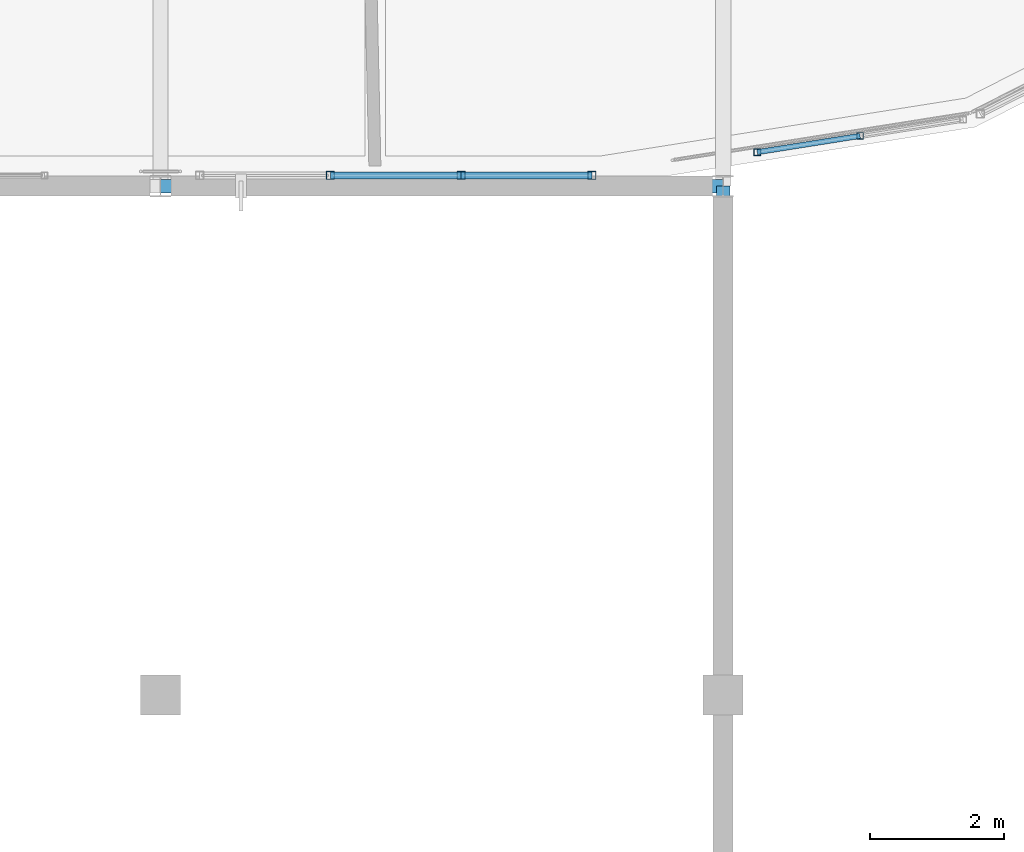
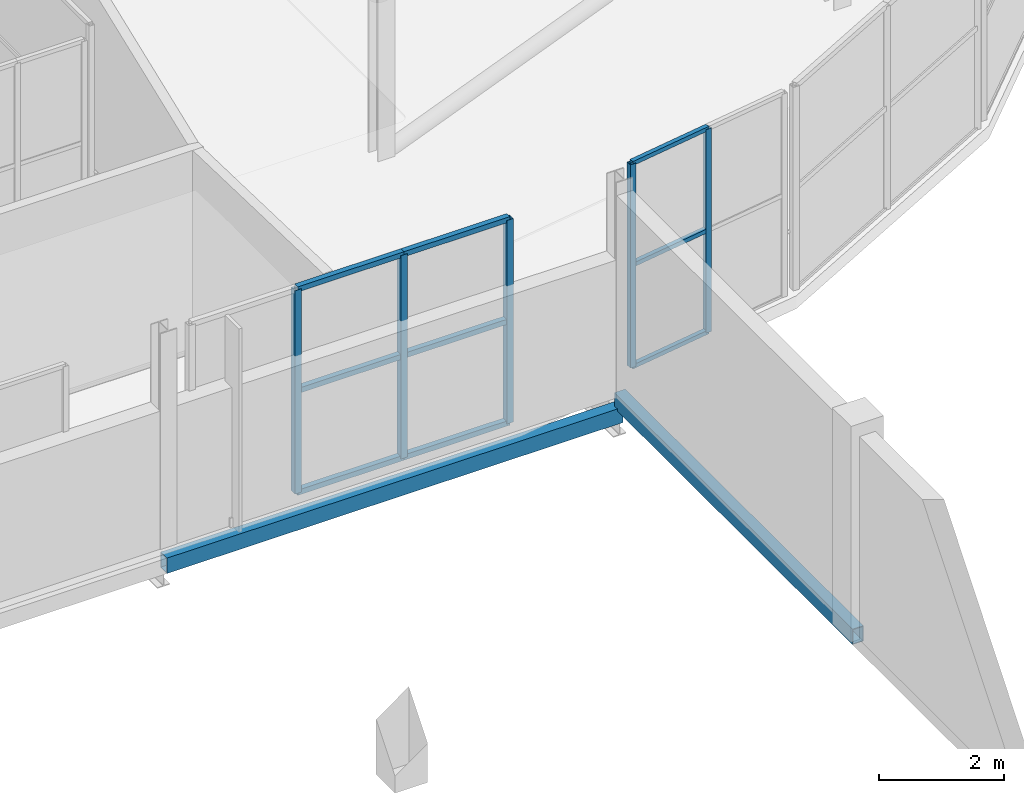
# One storey, part 87 of 151: 14 members, 2 beams, 2 elements without a shape of their own.
"""IFC4 building model written with IfcOpenShell, lengths in metres."""

from ifc_helpers import new_model, si_unit, direction, frame, origin, origin_2d, place, context, subcontext, project, spatial, hollow_rectangle, extrude, material, material_profile, profile_set, type_object, element, aggregate, save


model = new_model("IFC4")

# Units and contexts
model_context = context("Model", 3, precision=1e-05, world=origin(), true_north=direction((0.0, 1.0)))
body_context = subcontext(model_context, "Body", "Model", "MODEL_VIEW")
ifc_project = project(units=[si_unit("LENGTHUNIT", "METRE"), si_unit("AREAUNIT", "SQUARE_METRE"), si_unit("VOLUMEUNIT", "CUBIC_METRE"), si_unit("PLANEANGLEUNIT", "RADIAN"), si_unit("MASSUNIT", "GRAM", prefix="KILO")], contexts=[model_context])

# Site, building, storey
site_placement = place(None, origin())
site = spatial("IfcSite", under=ifc_project, at=site_placement, CompositionType="ELEMENT")
building_placement = place(site_placement, origin())
building = spatial("IfcBuilding", under=site, at=building_placement, Name="Zuvorla Pavilion Media Centre", CompositionType="ELEMENT")
storey_placement = place(building_placement, frame((0.0, 0.0, 13.800048828125)))
storey = spatial("IfcBuildingStorey", under=building, at=storey_placement, Name="L03", CompositionType="ELEMENT", Elevation=13.800048828125)

# Beams
ifc_material_1 = material(Name="Steel S355", Category="steel")
ifc_material_profile_1 = material_profile(ifc_material_1, hollow_rectangle(XDim=0.199951171875, YDim=0.300048828125, WallThickness=0.012451171875, at=origin_2d()), Name="RHS 300x200x12.5")
ifc_profile_set_1 = profile_set([ifc_material_profile_1], Name="Steel S355")
beam_type = type_object("IfcBeamType", Name="BM-SP-RHS300", PredefinedType="SPANDREL", material=ifc_profile_set_1)
beam_1_placement = place(storey_placement, frame((150.800048828125, 44.0, -0.407958984375), z_axis=(1.0, 0.0, 0.0), x_axis=(0.0, 1.0, 0.0)))
element("IfcBeam", 1, at=beam_1_placement, inside=storey, type_object=beam_type, Name="L03 spandrel SP01 1090", PredefinedType="SPANDREL", context=body_context, shape_type="SweptSolid", body=[
    extrude(hollow_rectangle(XDim=0.199951171875, YDim=0.300048828125, WallThickness=0.012451171875, at=origin_2d()), origin(), (0.0, 0.0, 1.0), 8.39990234375),
])
beam_2_placement = place(storey_placement, frame((159.199951171875, 36.39990234375, -0.150146484375), z_axis=(0.0, 1.0, 0.0), x_axis=(-1.0, 0.0, 0.0)))
element("IfcBeam", 2, at=beam_2_placement, inside=storey, type_object=beam_type, Name="L03 spandrel SP01 1778", PredefinedType="SPANDREL", context=body_context, shape_type="SweptSolid", body=[
    extrude(hollow_rectangle(XDim=0.199951171875, YDim=0.300048828125, WallThickness=0.012451171875, at=origin_2d()), origin(), (0.0, 0.0, 1.0), 7.60009765625),
])

# Curtain wall, members
ifc_material_2 = material(Name="Unitised anodised aluminium and solar glass curtain wall", Category="aluminium")
curtain_wall_type_1 = type_object("IfcCurtainWallType", Name="CW-SYS-06", PredefinedType="USERDEFINED", material=ifc_material_2)
curtain_wall_1_placement = place(storey_placement, origin())
curtain_wall_1 = element("IfcCurtainWall", 3, at=curtain_wall_1_placement, inside=storey, type_object=curtain_wall_type_1, Name="L03 curtain wall CW06 95", ObjectType="CURTAIN WALL", PredefinedType="USERDEFINED")
ifc_material_3 = material(Name="Anodised aluminium 6063-T6", Category="aluminium")
ifc_material_profile_2 = material_profile(ifc_material_3, hollow_rectangle(XDim=0.10009765625, YDim=0.10009765625, WallThickness=0.00439453125, at=origin_2d()), Name="ALU MULL 100x100")
ifc_profile_set_2 = profile_set([ifc_material_profile_2], Name="Anodised aluminium 6063-T6")
member_type_1 = type_object("IfcMemberType", Name="CW-MULL-100", PredefinedType="MULLION", material=ifc_profile_set_2)
member_1_placement = place(storey_placement, frame((159.708740234375, 44.50732421875, 0.0), z_axis=(0.0, 0.0, 1.0), x_axis=(1.0, 0.0, 0.0)))
member_1 = element("IfcMember", 4, at=member_1_placement, type_object=member_type_1, Name="CW06 mullion 1", PredefinedType="MULLION", context=body_context, shape_type="SweptSolid", body=[
    extrude(hollow_rectangle(XDim=0.10009765625, YDim=0.10009765625, WallThickness=0.00439453125, at=origin_2d()), origin(), (0.0, 0.0, 1.0), 3.9599609375),
])
member_2_placement = place(storey_placement, frame((161.24560546875, 44.750732421875, 0.0), z_axis=(0.0, 0.0, 1.0), x_axis=(1.0, 0.0, 0.0)))
member_2 = element("IfcMember", 5, at=member_2_placement, type_object=member_type_1, Name="CW06 mullion 2", PredefinedType="MULLION", context=body_context, shape_type="SweptSolid", body=[
    extrude(hollow_rectangle(XDim=0.10009765625, YDim=0.10009765625, WallThickness=0.00439453125, at=origin_2d()), origin(), (0.0, 0.0, 1.0), 3.9599609375),
])

curtain_wall_type_2 = type_object("IfcCurtainWallType", Name="CW-SYS-19", PredefinedType="USERDEFINED", material=ifc_material_2)
curtain_wall_2_placement = place(storey_placement, origin())
curtain_wall_2 = element("IfcCurtainWall", 6, at=curtain_wall_2_placement, inside=storey, type_object=curtain_wall_type_2, Name="L03 curtain wall CW19 147", ObjectType="CURTAIN WALL", PredefinedType="USERDEFINED")
ifc_material_profile_3 = material_profile(ifc_material_3, hollow_rectangle(XDim=0.1201171875, YDim=0.1201171875, WallThickness=0.0048828125, at=origin_2d()), Name="ALU MULL 120x120")
ifc_profile_set_3 = profile_set([ifc_material_profile_3], Name="Anodised aluminium 6063-T6")
member_type_2 = type_object("IfcMemberType", Name="CW-MULL-120", PredefinedType="MULLION", material=ifc_profile_set_3)
member_3_placement = place(storey_placement, frame((153.334716796875, 44.159912109375, 0.0), z_axis=(0.0, 0.0, 1.0), x_axis=(1.0, 0.0, 0.0)))
member_3 = element("IfcMember", 7, at=member_3_placement, type_object=member_type_2, Name="CW19 mullion 2", PredefinedType="MULLION", context=body_context, shape_type="SweptSolid", body=[
    extrude(hollow_rectangle(XDim=0.1201171875, YDim=0.1201171875, WallThickness=0.0048828125, at=origin_2d()), origin(), (0.0, 0.0, 1.0), 3.9599609375),
])
member_4_placement = place(storey_placement, frame((155.287353515625, 44.159912109375, 0.0), z_axis=(0.0, 0.0, 1.0), x_axis=(1.0, 0.0, 0.0)))
member_4 = element("IfcMember", 8, at=member_4_placement, type_object=member_type_2, Name="CW19 mullion 3", PredefinedType="MULLION", context=body_context, shape_type="SweptSolid", body=[
    extrude(hollow_rectangle(XDim=0.1201171875, YDim=0.1201171875, WallThickness=0.0048828125, at=origin_2d()), origin(), (0.0, 0.0, 1.0), 3.9599609375),
])
member_5_placement = place(storey_placement, frame((157.239990234375, 44.159912109375, 0.0), z_axis=(0.0, 0.0, 1.0), x_axis=(1.0, 0.0, 0.0)))
member_5 = element("IfcMember", 9, at=member_5_placement, type_object=member_type_2, Name="CW19 mullion 4", PredefinedType="MULLION", context=body_context, shape_type="SweptSolid", body=[
    extrude(hollow_rectangle(XDim=0.1201171875, YDim=0.1201171875, WallThickness=0.0048828125, at=origin_2d()), origin(), (0.0, 0.0, 1.0), 3.9599609375),
])
ifc_material_profile_4 = material_profile(ifc_material_3, hollow_rectangle(XDim=0.10009765625, YDim=0.10009765625, WallThickness=0.00439453125, at=origin_2d()), Name="ALU TRAN 100x100")
ifc_profile_set_4 = profile_set([ifc_material_profile_4], Name="Anodised aluminium 6063-T6")
member_type_3 = type_object("IfcMemberType", Name="CW-TRAN-100", PredefinedType="USERDEFINED", material=ifc_profile_set_4)
member_6_placement = place(storey_placement, frame((153.334716796875, 44.159912109375, 0.0), z_axis=(1.0, 0.0, 0.0), x_axis=(0.0, 1.0, 0.0)))
member_6 = element("IfcMember", 10, at=member_6_placement, type_object=member_type_3, Name="CW19 transom 2.1", ObjectType="TRANSOM", PredefinedType="USERDEFINED", context=body_context, shape_type="SweptSolid", body=[
    extrude(hollow_rectangle(XDim=0.10009765625, YDim=0.10009765625, WallThickness=0.00439453125, at=origin_2d()), origin(), (0.0, 0.0, 1.0), 1.95263671875),
])
member_7_placement = place(storey_placement, frame((153.334716796875, 44.159912109375, 1.97998046875), z_axis=(1.0, 0.0, 0.0), x_axis=(0.0, 1.0, 0.0)))
member_7 = element("IfcMember", 11, at=member_7_placement, type_object=member_type_3, Name="CW19 transom 2.2", ObjectType="TRANSOM", PredefinedType="USERDEFINED", context=body_context, shape_type="SweptSolid", body=[
    extrude(hollow_rectangle(XDim=0.10009765625, YDim=0.10009765625, WallThickness=0.00439453125, at=origin_2d()), origin(), (0.0, 0.0, 1.0), 1.95263671875),
])
member_8_placement = place(storey_placement, frame((153.334716796875, 44.159912109375, 3.9599609375), z_axis=(1.0, 0.0, 0.0), x_axis=(0.0, 1.0, 0.0)))
member_8 = element("IfcMember", 12, at=member_8_placement, type_object=member_type_3, Name="CW19 transom 2.3", ObjectType="TRANSOM", PredefinedType="USERDEFINED", context=body_context, shape_type="SweptSolid", body=[
    extrude(hollow_rectangle(XDim=0.10009765625, YDim=0.10009765625, WallThickness=0.00439453125, at=origin_2d()), origin(), (0.0, 0.0, 1.0), 1.95263671875),
])
member_9_placement = place(storey_placement, frame((155.287353515625, 44.159912109375, 0.0), z_axis=(1.0, 0.0, 0.0), x_axis=(0.0, 1.0, 0.0)))
member_9 = element("IfcMember", 13, at=member_9_placement, type_object=member_type_3, Name="CW19 transom 3.1", ObjectType="TRANSOM", PredefinedType="USERDEFINED", context=body_context, shape_type="SweptSolid", body=[
    extrude(hollow_rectangle(XDim=0.10009765625, YDim=0.10009765625, WallThickness=0.00439453125, at=origin_2d()), origin(), (0.0, 0.0, 1.0), 1.95263671875),
])
member_10_placement = place(storey_placement, frame((155.287353515625, 44.159912109375, 1.97998046875), z_axis=(1.0, 0.0, 0.0), x_axis=(0.0, 1.0, 0.0)))
member_10 = element("IfcMember", 14, at=member_10_placement, type_object=member_type_3, Name="CW19 transom 3.2", ObjectType="TRANSOM", PredefinedType="USERDEFINED", context=body_context, shape_type="SweptSolid", body=[
    extrude(hollow_rectangle(XDim=0.10009765625, YDim=0.10009765625, WallThickness=0.00439453125, at=origin_2d()), origin(), (0.0, 0.0, 1.0), 1.95263671875),
])
member_11_placement = place(storey_placement, frame((155.287353515625, 44.159912109375, 3.9599609375), z_axis=(1.0, 0.0, 0.0), x_axis=(0.0, 1.0, 0.0)))
member_11 = element("IfcMember", 15, at=member_11_placement, type_object=member_type_3, Name="CW19 transom 3.3", ObjectType="TRANSOM", PredefinedType="USERDEFINED", context=body_context, shape_type="SweptSolid", body=[
    extrude(hollow_rectangle(XDim=0.10009765625, YDim=0.10009765625, WallThickness=0.00439453125, at=origin_2d()), origin(), (0.0, 0.0, 1.0), 1.95263671875),
])
aggregate(curtain_wall_2, [member_3, member_4, member_5, member_6, member_7, member_8, member_9, member_10, member_11])

# Member
ifc_material_profile_5 = material_profile(ifc_material_3, hollow_rectangle(XDim=0.080078125, YDim=0.080078125, WallThickness=0.00390625, at=origin_2d()), Name="ALU TRAN 80x80")
ifc_profile_set_5 = profile_set([ifc_material_profile_5], Name="Anodised aluminium 6063-T6")
member_type_4 = type_object("IfcMemberType", Name="CW-TRAN-80", PredefinedType="USERDEFINED", material=ifc_profile_set_5)
member_12_placement = place(storey_placement, frame((159.708740234375, 44.50732421875, 0.0), z_axis=(0.987689069115, 0.156429865275, 0.0), x_axis=(-0.156429865275, 0.987689069115, 0.0)))
member_12 = element("IfcMember", 16, at=member_12_placement, type_object=member_type_4, Name="CW06 transom 1.1", ObjectType="TRANSOM", PredefinedType="USERDEFINED", context=body_context, shape_type="SweptSolid", body=[
    extrude(hollow_rectangle(XDim=0.080078125, YDim=0.080078125, WallThickness=0.00390625, at=origin_2d()), origin(), (0.0, 0.0, 1.0), 1.555908203125),
])

member_13_placement = place(storey_placement, frame((159.708740234375, 44.50732421875, 1.97998046875), z_axis=(0.987689069115, 0.156429865275, 0.0), x_axis=(-0.156429865275, 0.987689069115, 0.0)))
member_13 = element("IfcMember", 17, at=member_13_placement, type_object=member_type_4, Name="CW06 transom 1.2", ObjectType="TRANSOM", PredefinedType="USERDEFINED", context=body_context, shape_type="SweptSolid", body=[
    extrude(hollow_rectangle(XDim=0.080078125, YDim=0.080078125, WallThickness=0.00390625, at=origin_2d()), origin(), (0.0, 0.0, 1.0), 1.555908203125),
])

member_14_placement = place(storey_placement, frame((159.708740234375, 44.50732421875, 3.9599609375), z_axis=(0.987689069115, 0.156429865275, 0.0), x_axis=(-0.156429865275, 0.987689069115, 0.0)))
member_14 = element("IfcMember", 18, at=member_14_placement, type_object=member_type_4, Name="CW06 transom 1.3", ObjectType="TRANSOM", PredefinedType="USERDEFINED", context=body_context, shape_type="SweptSolid", body=[
    extrude(hollow_rectangle(XDim=0.080078125, YDim=0.080078125, WallThickness=0.00390625, at=origin_2d()), origin(), (0.0, 0.0, 1.0), 1.555908203125),
])

aggregate(curtain_wall_1, [member_1, member_2, member_12, member_13, member_14])

save(model, "model.ifc")
